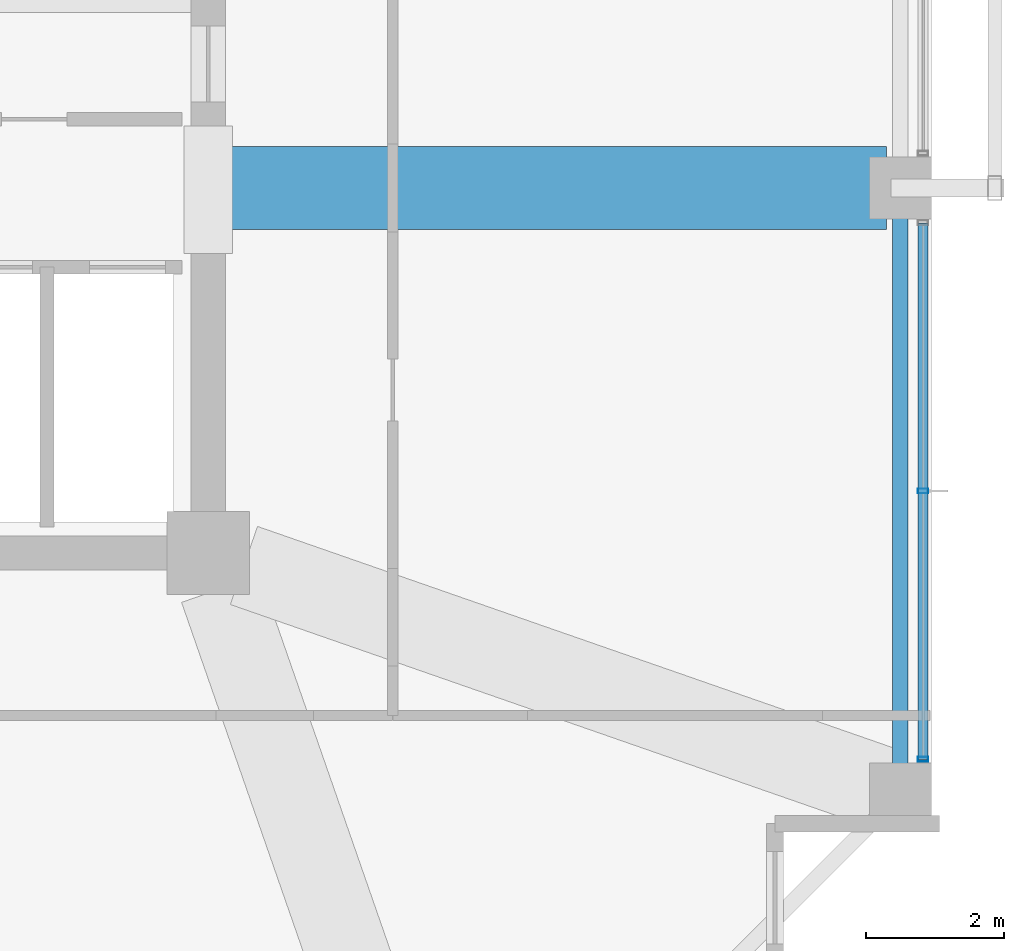
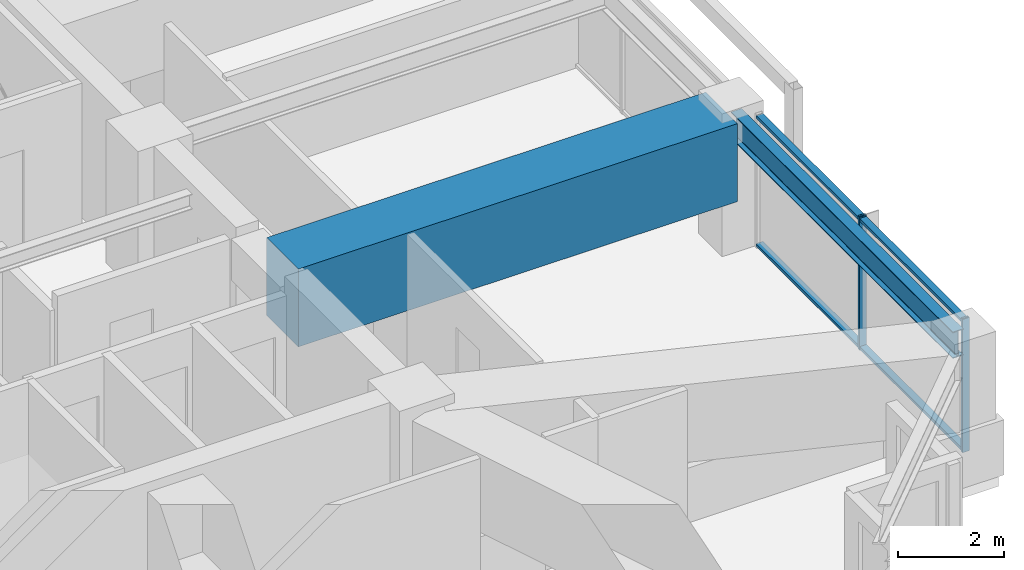
# One storey, part 13 of 37: 4 members, 2 beams, 1 element without a shape of its own.
"""IFC4 building model written with IfcOpenShell, lengths in metres."""

from ifc_helpers import new_model, si_unit, direction, frame, origin, origin_2d, place, context, subcontext, project, spatial, rectangle, hollow_rectangle, i_section, extrude, material, material_profile, profile_set, type_object, element, aggregate, save


model = new_model("IFC4")

# Units and contexts
model_context = context("Model", 3, precision=1e-05, world=origin(), true_north=direction((0.0, 1.0)))
body_context = subcontext(model_context, "Body", "Model", "MODEL_VIEW")
ifc_project = project(units=[si_unit("LENGTHUNIT", "METRE"), si_unit("AREAUNIT", "SQUARE_METRE"), si_unit("VOLUMEUNIT", "CUBIC_METRE"), si_unit("PLANEANGLEUNIT", "RADIAN"), si_unit("MASSUNIT", "GRAM", prefix="KILO")], contexts=[model_context])

# Site, building, storey
site_placement = place(None, origin())
site = spatial("IfcSite", under=ifc_project, at=site_placement, CompositionType="ELEMENT")
building_placement = place(site_placement, origin())
building = spatial("IfcBuilding", under=site, at=building_placement, Name="Kolvaren Belvedere", CompositionType="ELEMENT")
storey_placement = place(building_placement, frame((0.0, 0.0, 186.60009765625)))
storey = spatial("IfcBuildingStorey", under=building, at=storey_placement, Name="L54", CompositionType="ELEMENT", Elevation=186.60009765625)

# Beams
ifc_material_1 = material(Name="Structural steel ASTM A992 Grade 50", Category="steel")
ifc_material_profile_1 = material_profile(ifc_material_1, i_section(OverallWidth=0.22900390625, OverallDepth=0.612060546875, WebThickness=0.011962890625, FlangeThickness=0.01953125, FilletRadius=0.01806640625, at=origin_2d()), Name="W24X84")
ifc_profile_set_1 = profile_set([ifc_material_profile_1], Name="Structural steel ASTM A992 Grade 50")
beam_type_1 = type_object("IfcBeamType", Name="BM-SPAN-W24X84", PredefinedType="SPANDREL", material=ifc_profile_set_1)
beam_1_placement = place(storey_placement, frame((19.949951171875, -13.197509765625, 2.77392578125), z_axis=(0.0, 1.0, 0.0), x_axis=(-1.0, 0.0, 0.0)))
element("IfcBeam", 1, at=beam_1_placement, inside=storey, type_object=beam_type_1, Name="L54 Perimeter Spandrel E1-E2", PredefinedType="SPANDREL", context=body_context, shape_type="SweptSolid", body=[
    extrude(i_section(OverallWidth=0.22900390625, OverallDepth=0.612060546875, WebThickness=0.011962890625, FlangeThickness=0.01953125, FilletRadius=0.01806640625, at=origin_2d()), origin(), (0.0, 0.0, 1.0), 8.39501953125),
])
ifc_material_2 = material(Name="Concrete C50/60", Category="concrete")
ifc_material_profile_2 = material_profile(ifc_material_2, rectangle(XDim=1.199951171875, YDim=1.800048828125, at=origin_2d()), Name="RC 1200X1800")
ifc_profile_set_2 = profile_set([ifc_material_profile_2], Name="Concrete C50/60")
beam_type_2 = type_object("IfcBeamType", Name="BM-TG-1800", PredefinedType="BEAM", material=ifc_profile_set_2)
beam_2_placement = place(storey_placement, frame((10.14990234375, -4.60009765625, 2.179931640625), z_axis=(1.0, 0.0, 0.0), x_axis=(0.0, 1.0, 0.0)))
element("IfcBeam", 2, at=beam_2_placement, inside=storey, type_object=beam_type_2, Name="L54 East Radial Girder M", PredefinedType="BEAM", context=body_context, shape_type="SweptSolid", body=[
    extrude(rectangle(XDim=1.199951171875, YDim=1.800048828125, at=origin_2d()), origin(), (0.0, 0.0, 1.0), 9.59765625),
])

# Curtain wall, members
ifc_material_3 = material(Name="Anodised pale-metal aluminium AA 6063-T6", Category="aluminium")
curtain_wall_type = type_object("IfcCurtainWallType", Name="CW-Z5-HIGH", PredefinedType="NOTDEFINED", material=ifc_material_3)
curtain_wall_placement = place(storey_placement, origin())
curtain_wall = element("IfcCurtainWall", 3, at=curtain_wall_placement, inside=storey, type_object=curtain_wall_type, Name="L54 Unitised Curtain Wall FCW-L54-E-B3", PredefinedType="NOTDEFINED")
ifc_material_4 = material(Name="Anodised pale-metal aluminium AA 6063-T6", Category="aluminium")
ifc_material_profile_3 = material_profile(ifc_material_4, hollow_rectangle(XDim=0.070068359375, YDim=0.14990234375, WallThickness=0.004150390625, at=origin_2d()), Name="ALU-MUL-150X70")
ifc_profile_set_3 = profile_set([ifc_material_profile_3], Name="Anodised pale-metal aluminium AA 6063-T6")
member_type_1 = type_object("IfcMemberType", Name="CW-MUL-150", PredefinedType="MULLION", material=ifc_profile_set_3)
member_1_placement = place(storey_placement, frame((20.280029296875, -9.0, 0.0), z_axis=(0.0, 0.0, 1.0), x_axis=(0.0, 1.0, 0.0)))
member_1 = element("IfcMember", 4, at=member_1_placement, type_object=member_type_1, Name="FCW-L54-E-B3 Unitised Mullion 2", PredefinedType="MULLION", context=body_context, shape_type="SweptSolid", body=[
    extrude(hollow_rectangle(XDim=0.070068359375, YDim=0.14990234375, WallThickness=0.004150390625, at=origin_2d()), origin(), (0.0, 0.0, 1.0), 3.079833984375),
])
member_2_placement = place(storey_placement, frame((20.280029296875, -12.89501953125, 0.0), z_axis=(0.0, 0.0, 1.0), x_axis=(0.0, 1.0, 0.0)))
member_2 = element("IfcMember", 5, at=member_2_placement, type_object=member_type_1, Name="FCW-L54-E-B3 Unitised Mullion 3", PredefinedType="MULLION", context=body_context, shape_type="SweptSolid", body=[
    extrude(hollow_rectangle(XDim=0.070068359375, YDim=0.14990234375, WallThickness=0.004150390625, at=origin_2d()), origin(), (0.0, 0.0, 1.0), 3.079833984375),
])
ifc_material_5 = material(Name="Anodised pale-metal aluminium AA 6063-T6", Category="aluminium")
ifc_material_profile_4 = material_profile(ifc_material_5, hollow_rectangle(XDim=0.06494140625, YDim=0.14990234375, WallThickness=0.00390625, at=origin_2d()), Name="ALU-TRN-150X65")
ifc_profile_set_4 = profile_set([ifc_material_profile_4], Name="Anodised pale-metal aluminium AA 6063-T6")
member_type_2 = type_object("IfcMemberType", Name="CW-TRN-150", PredefinedType="USERDEFINED", material=ifc_profile_set_4)
member_3_placement = place(storey_placement, frame((20.280029296875, -5.10498046875, 0.059814453125), z_axis=(0.0, -1.0, 0.0), x_axis=(0.0, 0.0, 1.0)))
member_3 = element("IfcMember", 6, at=member_3_placement, type_object=member_type_2, Name="FCW-L54-E-B3 Sill Transom", ObjectType="TRANSOM", PredefinedType="USERDEFINED", context=body_context, shape_type="SweptSolid", body=[
    extrude(hollow_rectangle(XDim=0.06494140625, YDim=0.14990234375, WallThickness=0.00390625, at=origin_2d()), origin(), (0.0, 0.0, 1.0), 7.7900390625),
])
member_4_placement = place(storey_placement, frame((20.280029296875, -5.10498046875, 3.02001953125), z_axis=(0.0, -1.0, 0.0), x_axis=(0.0, 0.0, 1.0)))
member_4 = element("IfcMember", 7, at=member_4_placement, type_object=member_type_2, Name="FCW-L54-E-B3 Head Transom", ObjectType="TRANSOM", PredefinedType="USERDEFINED", context=body_context, shape_type="SweptSolid", body=[
    extrude(hollow_rectangle(XDim=0.06494140625, YDim=0.14990234375, WallThickness=0.00390625, at=origin_2d()), origin(), (0.0, 0.0, 1.0), 7.7900390625),
])
aggregate(curtain_wall, [member_1, member_2, member_3, member_4])

save(model, "model.ifc")
